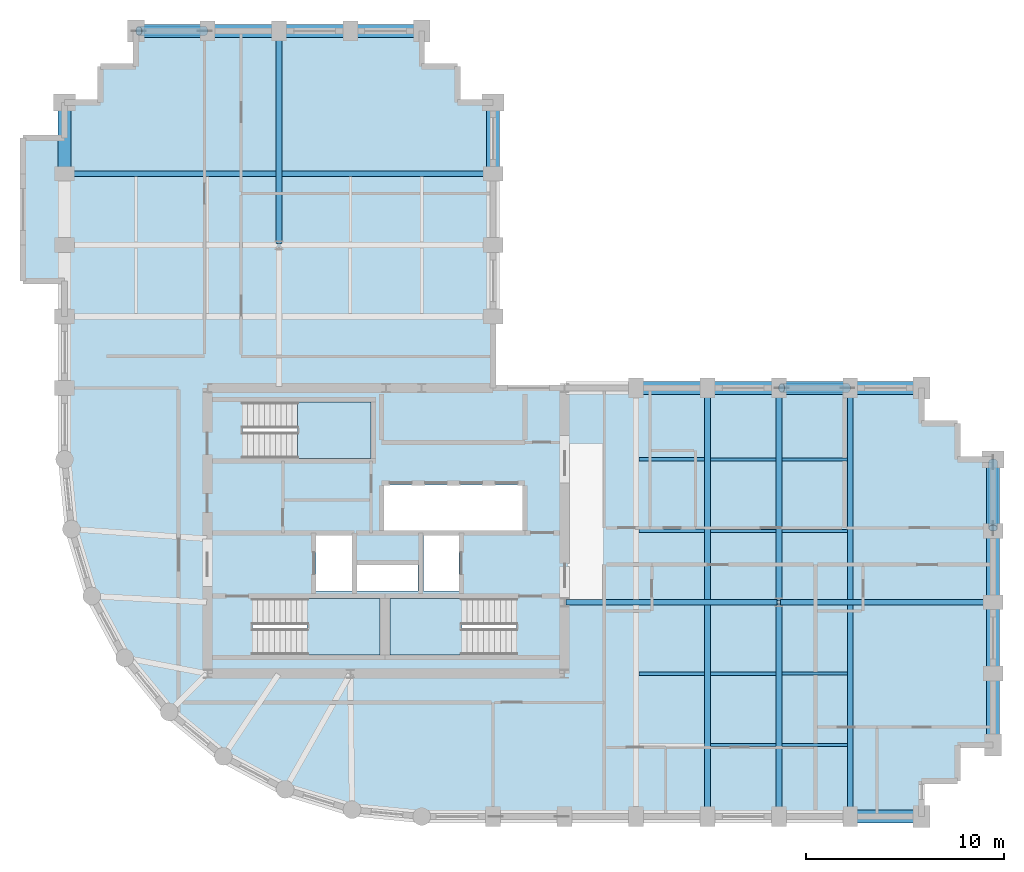
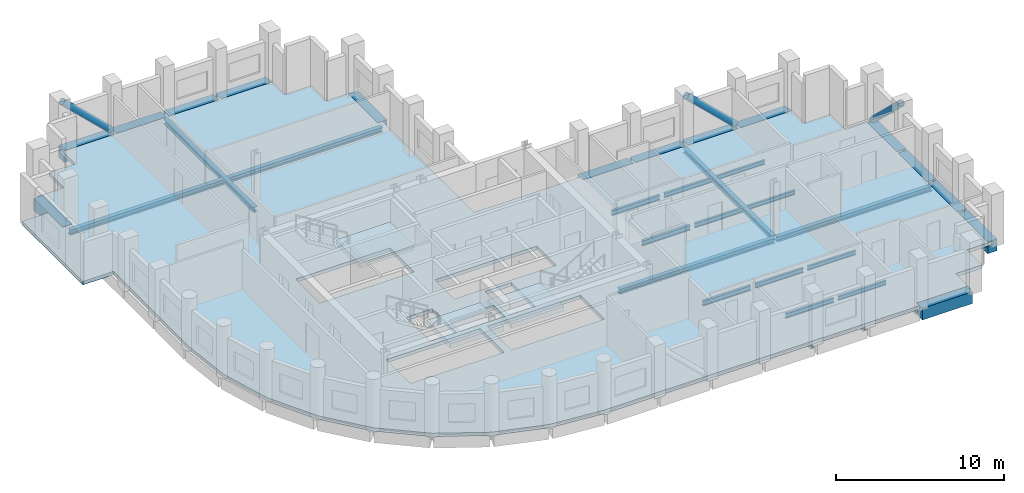
# One storey, part 2 of 8: 34 beams, 4 slabs, 3 members, 3 elements without a shape of their own.
"""IFC4 building model written with IfcOpenShell, lengths in metres."""

from ifc_helpers import new_model, si_unit, direction, frame, origin, origin_2d, place, context, subcontext, project, spatial, polyline, rectangle, hollow_circle, i_section, outline, extrude, material, layer, layer_set, material_profile, profile_set, type_object, element, aggregate, save


model = new_model("IFC4")

# Units and contexts
model_context = context("Model", 3, precision=1e-05, world=origin(), true_north=direction((0.0, 1.0)))
body_context = subcontext(model_context, "Body", "Model", "MODEL_VIEW")
ifc_project = project(units=[si_unit("LENGTHUNIT", "METRE"), si_unit("AREAUNIT", "SQUARE_METRE"), si_unit("VOLUMEUNIT", "CUBIC_METRE"), si_unit("PLANEANGLEUNIT", "RADIAN"), si_unit("MASSUNIT", "GRAM", prefix="KILO")], contexts=[model_context])

# Site, building, storey
site_placement = place(None, origin())
site = spatial("IfcSite", under=ifc_project, at=site_placement, CompositionType="ELEMENT")
building_placement = place(site_placement, origin())
building = spatial("IfcBuilding", under=site, at=building_placement, Name="Solnavia Interchange Tower", CompositionType="ELEMENT")
storey_placement = place(building_placement, frame((0.0, 0.0, 161.800048828125)))
storey = spatial("IfcBuildingStorey", under=building, at=storey_placement, Name="L40", CompositionType="ELEMENT", Elevation=161.800048828125)

# Beams
ifc_material_1 = material(Name="Steel S460", Category="steel")
ifc_material_profile_1 = material_profile(ifc_material_1, i_section(OverallWidth=0.300048828125, OverallDepth=0.360107421875, WebThickness=0.012451171875, FlangeThickness=0.0224609375, FilletRadius=0.027099609375, at=origin_2d()), Name="HEB 360")
ifc_profile_set_1 = profile_set([ifc_material_profile_1], Name="Steel S460")
beam_type_1 = type_object("IfcBeamType", Name="Beam-Girder-HEB360", PredefinedType="BEAM", material=ifc_profile_set_1)
beam_1_placement = place(storey_placement, frame((32.47998046875, 14.39990234375, -0.429931640625), z_axis=(1.0, 0.0, 0.0), x_axis=(0.0, 1.0, 0.0)))
element("IfcBeam", 1, at=beam_1_placement, inside=storey, type_object=beam_type_1, Name="GRD-L40-ES01 East wing spine girder", PredefinedType="BEAM", context=body_context, shape_type="SweptSolid", body=[
    extrude(i_section(OverallWidth=0.300048828125, OverallDepth=0.360107421875, WebThickness=0.012451171875, FlangeThickness=0.0224609375, FilletRadius=0.027099609375, at=origin_2d()), origin(), (0.0, 0.0, 1.0), 10.64013671875),
])
beam_2_placement = place(storey_placement, frame((43.280029296875, 14.39990234375, -0.429931640625), z_axis=(1.0, 0.0, 0.0), x_axis=(0.0, 1.0, 0.0)))
element("IfcBeam", 2, at=beam_2_placement, inside=storey, type_object=beam_type_1, Name="GRD-L40-ES02 East wing spine girder", PredefinedType="BEAM", context=body_context, shape_type="SweptSolid", body=[
    extrude(i_section(OverallWidth=0.300048828125, OverallDepth=0.360107421875, WebThickness=0.012451171875, FlangeThickness=0.0224609375, FilletRadius=0.027099609375, at=origin_2d()), origin(), (0.0, 0.0, 1.0), 10.639892578125),
])
for number, where, z_axis, x_axis, name in (
    (3, (39.60009765625, 3.679931640625, -0.429931640625), (0.0, 1.0, 0.0), (-1.0, 0.0, 0.0), "GRD-L40-EW04 East wing primary floor girder"),
    (4, (46.800048828125, 3.679931640625, -0.429931640625), (0.0, 1.0, 0.0), (-1.0, 0.0, 0.0), "GRD-L40-EW07 East wing primary floor girder"),
):
    element("IfcBeam", number, at=place(storey_placement, frame(where, z_axis=z_axis, x_axis=x_axis)), inside=storey, type_object=beam_type_1, Name=name, PredefinedType="BEAM", context=body_context, shape_type="SweptSolid", body=[
        extrude(i_section(OverallWidth=0.300048828125, OverallDepth=0.360107421875, WebThickness=0.012451171875, FlangeThickness=0.0224609375, FilletRadius=0.027099609375, at=origin_2d()), origin(), (0.0, 0.0, 1.0), 21.440185546875),
    ])
beam_3_placement = place(storey_placement, frame((18.0, 32.47998046875, -0.429931640625), z_axis=(0.0, 1.0, 0.0), x_axis=(-1.0, 0.0, 0.0)))
element("IfcBeam", 5, at=beam_3_placement, inside=storey, type_object=beam_type_1, Name="GRD-L40-NS09 North wing spine girder", PredefinedType="BEAM", context=body_context, shape_type="SweptSolid", body=[
    extrude(i_section(OverallWidth=0.300048828125, OverallDepth=0.360107421875, WebThickness=0.012451171875, FlangeThickness=0.0224609375, FilletRadius=0.027099609375, at=origin_2d()), origin(), (0.0, 0.0, 1.0), 10.64013671875),
])
beam_4_placement = place(storey_placement, frame((7.280029296875, 36.0, -0.429931640625), z_axis=(1.0, 0.0, 0.0), x_axis=(0.0, 1.0, 0.0)))
element("IfcBeam", 6, at=beam_4_placement, inside=storey, type_object=beam_type_1, Name="GRD-L40-NW13 North wing primary floor girder", PredefinedType="BEAM", context=body_context, shape_type="SweptSolid", body=[
    extrude(i_section(OverallWidth=0.300048828125, OverallDepth=0.360107421875, WebThickness=0.012451171875, FlangeThickness=0.0224609375, FilletRadius=0.027099609375, at=origin_2d()), origin(), (0.0, 0.0, 1.0), 21.43994140625),
])
ifc_material_2 = material(Name="Steel S355", Category="steel")
ifc_material_profile_2 = material_profile(ifc_material_2, i_section(OverallWidth=0.14990234375, OverallDepth=0.300048828125, WebThickness=0.007080078125, FlangeThickness=0.0107421875, FilletRadius=0.014892578125, at=origin_2d()), Name="IPE 300")
ifc_profile_set_2 = profile_set([ifc_material_profile_2], Name="Steel S355")
beam_type_2 = type_object("IfcBeamType", Name="Beam-Joist-IPE300", PredefinedType="JOIST", material=ifc_profile_set_2)
for number, where, z_axis, x_axis, name in (
    (7, (43.35009765625, 7.199951171875, -0.400146484375), (1.0, 0.0, 0.0), (0.0, 1.0, 0.0), "JST-L40-E03 East wing secondary joist"),
    (8, (43.35009765625, 10.800048828125, -0.400146484375), (1.0, 0.0, 0.0), (0.0, 1.0, 0.0), "JST-L40-E06 East wing secondary joist"),
    (9, (43.35009765625, 18.0, -0.400146484375), (1.0, 0.0, 0.0), (0.0, 1.0, 0.0), "JST-L40-E09 East wing secondary joist"),
    (10, (43.35009765625, 21.60009765625, -0.400146484375), (1.0, 0.0, 0.0), (0.0, 1.0, 0.0), "JST-L40-E12 East wing secondary joist"),
):
    element("IfcBeam", number, at=place(storey_placement, frame(where, z_axis=z_axis, x_axis=x_axis)), inside=storey, type_object=beam_type_2, Name=name, PredefinedType="JOIST", context=body_context, shape_type="SweptSolid", body=[
        extrude(i_section(OverallWidth=0.14990234375, OverallDepth=0.300048828125, WebThickness=0.007080078125, FlangeThickness=0.0107421875, FilletRadius=0.014892578125, at=origin_2d()), origin(), (0.0, 0.0, 1.0), 3.2998046875),
    ])
ifc_material_profile_3 = material_profile(ifc_material_2, i_section(OverallWidth=0.159912109375, OverallDepth=0.330078125, WebThickness=0.007568359375, FlangeThickness=0.011474609375, FilletRadius=0.01806640625, at=origin_2d()), Name="IPE 330")
ifc_profile_set_3 = profile_set([ifc_material_profile_3], Name="Steel S355")
beam_type_3 = type_object("IfcBeamType", Name="Beam-Joist-IPE330", PredefinedType="JOIST", material=ifc_profile_set_3)
for number, where, z_axis, x_axis, name in (
    (11, (39.75, 7.199951171875, -0.4150390625), (1.0, 0.0, 0.0), (0.0, 1.0, 0.0), "JST-L40-E02 East wing secondary joist"),
    (12, (39.75, 10.800048828125, -0.4150390625), (1.0, 0.0, 0.0), (0.0, 1.0, 0.0), "JST-L40-E05 East wing secondary joist"),
    (13, (39.75, 18.0, -0.4150390625), (1.0, 0.0, 0.0), (0.0, 1.0, 0.0), "JST-L40-E08 East wing secondary joist"),
    (14, (39.75, 21.60009765625, -0.4150390625), (1.0, 0.0, 0.0), (0.0, 1.0, 0.0), "JST-L40-E11 East wing secondary joist"),
):
    element("IfcBeam", number, at=place(storey_placement, frame(where, z_axis=z_axis, x_axis=x_axis)), inside=storey, type_object=beam_type_3, Name=name, PredefinedType="JOIST", context=body_context, shape_type="SweptSolid", body=[
        extrude(i_section(OverallWidth=0.159912109375, OverallDepth=0.330078125, WebThickness=0.007568359375, FlangeThickness=0.011474609375, FilletRadius=0.01806640625, at=origin_2d()), origin(), (0.0, 0.0, 1.0), 3.300048828125),
    ])
ifc_material_profile_4 = material_profile(ifc_material_2, i_section(OverallWidth=0.169921875, OverallDepth=0.360107421875, WebThickness=0.008056640625, FlangeThickness=0.0126953125, FilletRadius=0.01806640625, at=origin_2d()), Name="IPE 360")
ifc_profile_set_4 = profile_set([ifc_material_profile_4], Name="Steel S355")
beam_type_4 = type_object("IfcBeamType", Name="Beam-Joist-IPE360", PredefinedType="JOIST", material=ifc_profile_set_4)
for number, where, z_axis, x_axis, name in (
    (15, (36.14990234375, 10.800048828125, -0.429931640625), (1.0, 0.0, 0.0), (0.0, 1.0, 0.0), "JST-L40-E04 East wing secondary joist"),
    (16, (36.14990234375, 18.0, -0.429931640625), (1.0, 0.0, 0.0), (0.0, 1.0, 0.0), "JST-L40-E07 East wing secondary joist"),
    (17, (36.14990234375, 21.60009765625, -0.429931640625), (1.0, 0.0, 0.0), (0.0, 1.0, 0.0), "JST-L40-E10 East wing secondary joist"),
):
    element("IfcBeam", number, at=place(storey_placement, frame(where, z_axis=z_axis, x_axis=x_axis)), inside=storey, type_object=beam_type_4, Name=name, PredefinedType="JOIST", context=body_context, shape_type="SweptSolid", body=[
        extrude(i_section(OverallWidth=0.169921875, OverallDepth=0.360107421875, WebThickness=0.008056640625, FlangeThickness=0.0126953125, FilletRadius=0.01806640625, at=origin_2d()), origin(), (0.0, 0.0, 1.0), 3.300048828125),
    ])
ifc_material_profile_5 = material_profile(ifc_material_2, i_section(OverallWidth=0.300048828125, OverallDepth=0.35009765625, WebThickness=0.010009765625, FlangeThickness=0.017578125, FilletRadius=0.027099609375, at=origin_2d()), Name="HEA 360")
ifc_profile_set_5 = profile_set([ifc_material_profile_5], Name="Steel S355")
beam_type_5 = type_object("IfcBeamType", Name="Beam-Primary-HEA360", PredefinedType="BEAM", material=ifc_profile_set_5)
for number, where, z_axis, x_axis, name in (
    (18, (43.199951171875, 3.679931640625, -0.425048828125), (0.0, 1.0, 0.0), (-1.0, 0.0, 0.0), "GRD-L40-EW05 East wing primary floor girder"),
    (19, (43.199951171875, 14.47998046875, -0.425048828125), (0.0, 1.0, 0.0), (-1.0, 0.0, 0.0), "GRD-L40-EW06 East wing primary floor girder"),
):
    element("IfcBeam", number, at=place(storey_placement, frame(where, z_axis=z_axis, x_axis=x_axis)), inside=storey, type_object=beam_type_5, Name=name, PredefinedType="BEAM", context=body_context, shape_type="SweptSolid", body=[
        extrude(i_section(OverallWidth=0.300048828125, OverallDepth=0.35009765625, WebThickness=0.010009765625, FlangeThickness=0.017578125, FilletRadius=0.027099609375, at=origin_2d()), origin(), (0.0, 0.0, 1.0), 10.64013671875),
    ])
ifc_material_3 = material(Name="Concrete C50/60", Category="concrete")
ifc_material_profile_6 = material_profile(ifc_material_3, rectangle(XDim=0.64990234375, YDim=0.85009765625, at=origin_2d()), Name="RC 650x850")
ifc_profile_set_6 = profile_set([ifc_material_profile_6], Name="Concrete C50/60")
beam_type_6 = type_object("IfcBeamType", Name="Beam-Spandrel-RC650x850", PredefinedType="SPANDREL", material=ifc_profile_set_6)
beam_5_placement = place(storey_placement, frame((46.8798828125, 3.60009765625, -0.425048828125), z_axis=(1.0, 0.0, 0.0), x_axis=(0.0, 1.0, 0.0)))
element("IfcBeam", 20, at=beam_5_placement, inside=storey, type_object=beam_type_6, Name="SPB-L40-15 Framed-tube perimeter spandrel beam", PredefinedType="SPANDREL", context=body_context, shape_type="SweptSolid", body=[
    extrude(rectangle(XDim=0.64990234375, YDim=0.85009765625, at=origin_2d()), origin(), (0.0, 0.0, 1.0), 3.440185546875),
])
beam_6_placement = place(storey_placement, frame((54.0, 7.280029296875, -0.425048828125), z_axis=(0.0, 1.0, 0.0), x_axis=(-1.0, 0.0, 0.0)))
element("IfcBeam", 21, at=beam_6_placement, inside=storey, type_object=beam_type_6, Name="SPB-L40-16 Framed-tube perimeter spandrel beam", PredefinedType="SPANDREL", context=body_context, shape_type="SweptSolid", body=[
    extrude(rectangle(XDim=0.64990234375, YDim=0.85009765625, at=origin_2d()), origin(), (0.0, 0.0, 1.0), 3.43994140625),
])
beam_7_placement = place(storey_placement, frame((54.0, 10.8798828125, -0.425048828125), z_axis=(0.0, 1.0, 0.0), x_axis=(-1.0, 0.0, 0.0)))
element("IfcBeam", 22, at=beam_7_placement, inside=storey, type_object=beam_type_6, Name="SPB-L40-17 Framed-tube perimeter spandrel beam", PredefinedType="SPANDREL", context=body_context, shape_type="SweptSolid", body=[
    extrude(rectangle(XDim=0.64990234375, YDim=0.85009765625, at=origin_2d()), origin(), (0.0, 0.0, 1.0), 3.440185546875),
])
for number, where, z_axis, x_axis, name in (
    (23, (54.0, 14.47998046875, -0.425048828125), (0.0, 1.0, 0.0), (-1.0, 0.0, 0.0), "SPB-L40-18 Framed-tube perimeter spandrel beam"),
    (24, (54.0, 18.080078125, -0.425048828125), (0.0, 1.0, 0.0), (-1.0, 0.0, 0.0), "SPB-L40-19 Framed-tube perimeter spandrel beam"),
):
    element("IfcBeam", number, at=place(storey_placement, frame(where, z_axis=z_axis, x_axis=x_axis)), inside=storey, type_object=beam_type_6, Name=name, PredefinedType="SPANDREL", context=body_context, shape_type="SweptSolid", body=[
        extrude(rectangle(XDim=0.64990234375, YDim=0.85009765625, at=origin_2d()), origin(), (0.0, 0.0, 1.0), 3.43994140625),
    ])
beam_8_placement = place(storey_placement, frame((50.320068359375, 25.199951171875, -0.425048828125), z_axis=(-1.0, 0.0, 0.0), x_axis=(0.0, -1.0, 0.0)))
element("IfcBeam", 25, at=beam_8_placement, inside=storey, type_object=beam_type_6, Name="SPB-L40-20 Framed-tube perimeter spandrel beam", PredefinedType="SPANDREL", context=body_context, shape_type="SweptSolid", body=[
    extrude(rectangle(XDim=0.64990234375, YDim=0.85009765625, at=origin_2d()), origin(), (0.0, 0.0, 1.0), 3.440185546875),
])
beam_9_placement = place(storey_placement, frame((46.719970703125, 25.199951171875, -0.425048828125), z_axis=(-1.0, 0.0, 0.0), x_axis=(0.0, -1.0, 0.0)))
element("IfcBeam", 26, at=beam_9_placement, inside=storey, type_object=beam_type_6, Name="SPB-L40-21 Framed-tube perimeter spandrel beam", PredefinedType="SPANDREL", context=body_context, shape_type="SweptSolid", body=[
    extrude(rectangle(XDim=0.64990234375, YDim=0.85009765625, at=origin_2d()), origin(), (0.0, 0.0, 1.0), 3.43994140625),
])
beam_10_placement = place(storey_placement, frame((43.1201171875, 25.199951171875, -0.425048828125), z_axis=(-1.0, 0.0, 0.0), x_axis=(0.0, -1.0, 0.0)))
element("IfcBeam", 27, at=beam_10_placement, inside=storey, type_object=beam_type_6, Name="SPB-L40-22 Framed-tube perimeter spandrel beam", PredefinedType="SPANDREL", context=body_context, shape_type="SweptSolid", body=[
    extrude(rectangle(XDim=0.64990234375, YDim=0.85009765625, at=origin_2d()), origin(), (0.0, 0.0, 1.0), 3.440185546875),
])
for number, where, z_axis, x_axis, name in (
    (28, (39.52001953125, 25.199951171875, -0.425048828125), (-1.0, 0.0, 0.0), (0.0, -1.0, 0.0), "SPB-L40-23 Framed-tube perimeter spandrel beam"),
    (29, (28.800048828125, 36.080078125, -0.425048828125), (0.0, 1.0, 0.0), (-1.0, 0.0, 0.0), "SPB-L40-27 Framed-tube perimeter spandrel beam"),
):
    element("IfcBeam", number, at=place(storey_placement, frame(where, z_axis=z_axis, x_axis=x_axis)), inside=storey, type_object=beam_type_6, Name=name, PredefinedType="SPANDREL", context=body_context, shape_type="SweptSolid", body=[
        extrude(rectangle(XDim=0.64990234375, YDim=0.85009765625, at=origin_2d()), origin(), (0.0, 0.0, 1.0), 3.43994140625),
    ])
beam_11_placement = place(storey_placement, frame((25.1201171875, 43.199951171875, -0.425048828125), z_axis=(-1.0, 0.0, 0.0), x_axis=(0.0, -1.0, 0.0)))
element("IfcBeam", 30, at=beam_11_placement, inside=storey, type_object=beam_type_6, Name="SPB-L40-28 Framed-tube perimeter spandrel beam", PredefinedType="SPANDREL", context=body_context, shape_type="SweptSolid", body=[
    extrude(rectangle(XDim=0.64990234375, YDim=0.85009765625, at=origin_2d()), origin(), (0.0, 0.0, 1.0), 3.440185546875),
])
for number, where, z_axis, x_axis, name in (
    (31, (21.52001953125, 43.199951171875, -0.425048828125), (-1.0, 0.0, 0.0), (0.0, -1.0, 0.0), "SPB-L40-29 Framed-tube perimeter spandrel beam"),
    (32, (17.919921875, 43.199951171875, -0.425048828125), (-1.0, 0.0, 0.0), (0.0, -1.0, 0.0), "SPB-L40-30 Framed-tube perimeter spandrel beam"),
):
    element("IfcBeam", number, at=place(storey_placement, frame(where, z_axis=z_axis, x_axis=x_axis)), inside=storey, type_object=beam_type_6, Name=name, PredefinedType="SPANDREL", context=body_context, shape_type="SweptSolid", body=[
        extrude(rectangle(XDim=0.64990234375, YDim=0.85009765625, at=origin_2d()), origin(), (0.0, 0.0, 1.0), 3.43994140625),
    ])
beam_12_placement = place(storey_placement, frame((14.320068359375, 43.199951171875, -0.425048828125), z_axis=(-1.0, 0.0, 0.0), x_axis=(0.0, -1.0, 0.0)))
element("IfcBeam", 33, at=beam_12_placement, inside=storey, type_object=beam_type_6, Name="SPB-L40-31 Framed-tube perimeter spandrel beam", PredefinedType="SPANDREL", context=body_context, shape_type="SweptSolid", body=[
    extrude(rectangle(XDim=0.64990234375, YDim=0.85009765625, at=origin_2d()), origin(), (0.0, 0.0, 1.0), 3.440185546875),
])
beam_13_placement = place(storey_placement, frame((7.199951171875, 39.52001953125, -0.425048828125), z_axis=(0.0, -1.0, 0.0), x_axis=(1.0, 0.0, 0.0)))
element("IfcBeam", 34, at=beam_13_placement, inside=storey, type_object=beam_type_6, Name="SPB-L40-32 Framed-tube perimeter spandrel beam", PredefinedType="SPANDREL", context=body_context, shape_type="SweptSolid", body=[
    extrude(rectangle(XDim=0.64990234375, YDim=0.85009765625, at=origin_2d()), origin(), (0.0, 0.0, 1.0), 3.43994140625),
])

# Members
ifc_material_profile_7 = material_profile(ifc_material_1, hollow_circle(Radius=0.228515625, WallThickness=0.02001953125, at=origin_2d()), Name="CHS 457x20")
ifc_profile_set_7 = profile_set([ifc_material_profile_7], Name="Steel S460")
member_type = type_object("IfcMemberType", Name="Brace-Perim-CHS457", PredefinedType="BRACE", material=ifc_profile_set_7)
for number, where, z_axis, x_axis, name in (
    (35, (54.0, 21.4599609375, 0.179931640625), (0.0, -0.721096918576, 0.692834203847), (1.0, 0.0, 0.0), "BRC-L40-02 Perimeter tube diagonal brace"),
    (36, (14.260009765625, 43.199951171875, 0.179931640625), (-0.721096918576, 0.0, 0.692834203847), (0.0, -1.0, 0.0), "BRC-L40-03 Perimeter tube diagonal brace"),
):
    element("IfcMember", number, at=place(storey_placement, frame(where, z_axis=z_axis, x_axis=x_axis)), inside=storey, type_object=member_type, Name=name, PredefinedType="BRACE", context=body_context, shape_type="SweptSolid", body=[
        extrude(hollow_circle(Radius=0.228515625, WallThickness=0.02001953125, at=origin_2d()), origin(), (0.0, 0.0, 1.0), 4.604248046875),
    ])
member_placement = place(storey_placement, frame((46.659912109375, 25.199951171875, 0.179931640625), z_axis=(-0.721071463745, 0.0, 0.69286069608), x_axis=(0.0, -1.0, 0.0)))
element("IfcMember", 37, at=member_placement, inside=storey, type_object=member_type, Name="BRC-L40-04 Perimeter tube diagonal brace", PredefinedType="BRACE", context=body_context, shape_type="SweptSolid", body=[
    extrude(hollow_circle(Radius=0.228515625, WallThickness=0.02001953125, at=origin_2d()), origin(), (0.0, 0.0, 1.0), 4.60400390625),
])

# Stair, slab
ifc_material_4 = material(Name="Concrete C40/50", Category="concrete")
stair_type = type_object("IfcStairType", Name="Stair-Dogleg-RC", PredefinedType="HALF_TURN_STAIR", material=ifc_material_4)
stair_1_placement = place(storey_placement, origin())
stair_1 = element("IfcStair", 38, at=stair_1_placement, inside=storey, type_object=stair_type, Name="L40 Core exit stair 1", PredefinedType="HALF_TURN_STAIR")
ifc_layer_1 = layer(ifc_material_4, 0.35009765625)
ifc_layer_set_1 = layer_set([ifc_layer_1], Name="Concrete C40/50")
slab_type_1 = type_object("IfcSlabType", Name="Slab-StairLanding-350", PredefinedType="LANDING", material=ifc_layer_set_1)
slab_1_placement = place(storey_placement, frame((0.0, 0.0, 1.550048828125)))
slab_1 = element("IfcSlab", 39, at=slab_1_placement, type_object=slab_type_1, Name="ST-1 landing 1", PredefinedType="LANDING", context=body_context, shape_type="SweptSolid", body=[
    extrude(outline(polyline([(19.427978515625, 11.75), (23.10009765625, 11.75), (23.10009765625, 14.590087890625), (19.427978515625, 14.590087890625), (19.427978515625, 11.75)])), origin(), (0.0, 0.0, 1.0), 0.349853515625),
])
aggregate(stair_1, [slab_1])

stair_2_placement = place(storey_placement, origin())
stair_2 = element("IfcStair", 40, at=stair_2_placement, inside=storey, type_object=stair_type, Name="L40 Core exit stair 2", PredefinedType="HALF_TURN_STAIR")
slab_2_placement = place(storey_placement, frame((0.0, 0.0, 1.550048828125)))
slab_2 = element("IfcSlab", 41, at=slab_2_placement, type_object=slab_type_1, Name="ST-2 landing 1", PredefinedType="LANDING", context=body_context, shape_type="SweptSolid", body=[
    extrude(outline(polyline([(23.60009765625, 11.75), (27.221923828125, 11.75), (27.221923828125, 14.590087890625), (23.60009765625, 14.590087890625), (23.60009765625, 11.75)])), origin(), (0.0, 0.0, 1.0), 0.349853515625),
])
aggregate(stair_2, [slab_2])

stair_3_placement = place(storey_placement, origin())
stair_3 = element("IfcStair", 42, at=stair_3_placement, inside=storey, type_object=stair_type, Name="L40 Core exit stair 3", PredefinedType="HALF_TURN_STAIR")
slab_3_placement = place(storey_placement, frame((0.0, 0.0, 1.550048828125)))
slab_3 = element("IfcSlab", 43, at=slab_3_placement, type_object=slab_type_1, Name="ST-3 landing 1", PredefinedType="LANDING", context=body_context, shape_type="SweptSolid", body=[
    extrude(outline(polyline([(18.927978515625, 21.64990234375), (22.64990234375, 21.64990234375), (22.64990234375, 24.489990234375), (18.927978515625, 24.489990234375), (18.927978515625, 21.64990234375)])), origin(), (0.0, 0.0, 1.0), 0.349853515625),
])
aggregate(stair_3, [slab_3])

# Slab
ifc_layer_2 = layer(ifc_material_4, 0.25)
ifc_layer_set_2 = layer_set([ifc_layer_2], Name="Concrete C40/50")
slab_type_2 = type_object("IfcSlabType", Name="Slab-Tower-250", PredefinedType="FLOOR", material=ifc_layer_set_2)
slab_4_placement = place(storey_placement, frame((0.0, 0.0, -0.25)))
element("IfcSlab", 44, at=slab_4_placement, inside=storey, type_object=slab_type_2, Name="SLB-L40-01 Structural floor slab", PredefinedType="FLOOR", context=body_context, shape_type="SweptSolid", body=[
    extrude(outline(polyline([(25.199951171875, 3.60009765625), (50.39990234375, 3.60009765625), (50.39990234375, 5.39990234375), (52.199951171875, 5.39990234375), (52.199951171875, 7.199951171875), (54.0, 7.199951171875), (54.0, 21.60009765625), (52.199951171875, 21.60009765625), (52.199951171875, 23.39990234375), (50.39990234375, 23.39990234375), (50.39990234375, 25.199951171875), (28.800048828125, 25.199951171875), (28.800048828125, 39.60009765625), (27.0, 39.60009765625), (27.0, 41.39990234375), (25.199951171875, 41.39990234375), (25.199951171875, 43.199951171875), (10.800048828125, 43.199951171875), (10.800048828125, 41.39990234375), (9.0, 41.39990234375), (9.0, 39.60009765625), (7.199951171875, 39.60009765625), (7.199951171875, 37.800048828125), (5.10009765625, 37.800048828125), (5.10009765625, 30.60009765625), (7.199951171875, 30.60009765625), (7.199951171875, 21.60009765625), (7.5458984375, 18.087890625), (8.570068359375, 14.7119140625), (10.23388671875, 11.60009765625), (12.471923828125, 8.8720703125), (15.199951171875, 6.634033203125), (18.31201171875, 4.969970703125), (21.68798828125, 3.946044921875), (25.199951171875, 3.60009765625)]), holes=[polyline([(16.675048828125, 11.75), (23.10009765625, 11.75), (23.10009765625, 14.590087890625), (16.675048828125, 14.590087890625), (16.675048828125, 11.75)]), polyline([(23.60009765625, 11.75), (29.97509765625, 11.75), (29.97509765625, 14.590087890625), (23.60009765625, 14.590087890625), (23.60009765625, 11.75)]), polyline([(16.175048828125, 21.64990234375), (22.64990234375, 21.64990234375), (22.64990234375, 24.489990234375), (16.175048828125, 24.489990234375), (16.175048828125, 21.64990234375)]), polyline([(19.8798828125, 14.9599609375), (21.679931640625, 14.9599609375), (21.679931640625, 17.780029296875), (19.8798828125, 17.780029296875), (19.8798828125, 14.9599609375)]), polyline([(25.280029296875, 14.9599609375), (27.080078125, 14.9599609375), (27.080078125, 17.780029296875), (25.280029296875, 17.780029296875), (25.280029296875, 14.9599609375)]), polyline([(21.919921875, 14.9599609375), (25.02001953125, 14.9599609375), (25.02001953125, 16.280029296875), (21.919921875, 16.280029296875), (21.919921875, 14.9599609375)]), polyline([(23.300048828125, 18.02001953125), (30.280029296875, 18.02001953125), (30.280029296875, 20.300048828125), (23.300048828125, 20.300048828125), (23.300048828125, 18.02001953125)])]), origin(), (0.0, 0.0, 1.0), 0.25),
])

save(model, "model.ifc")
